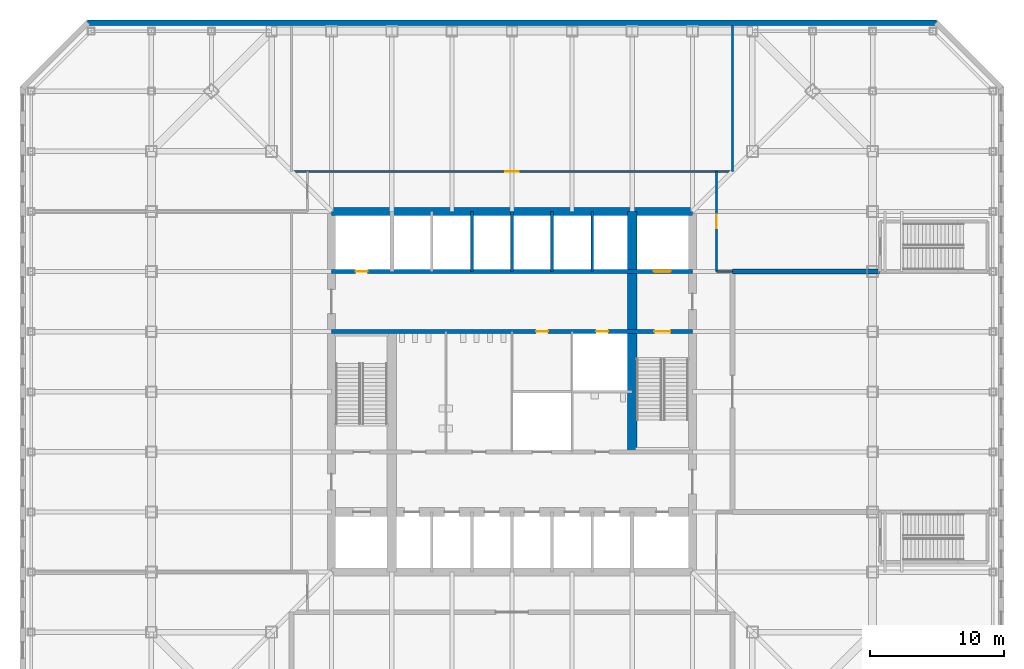
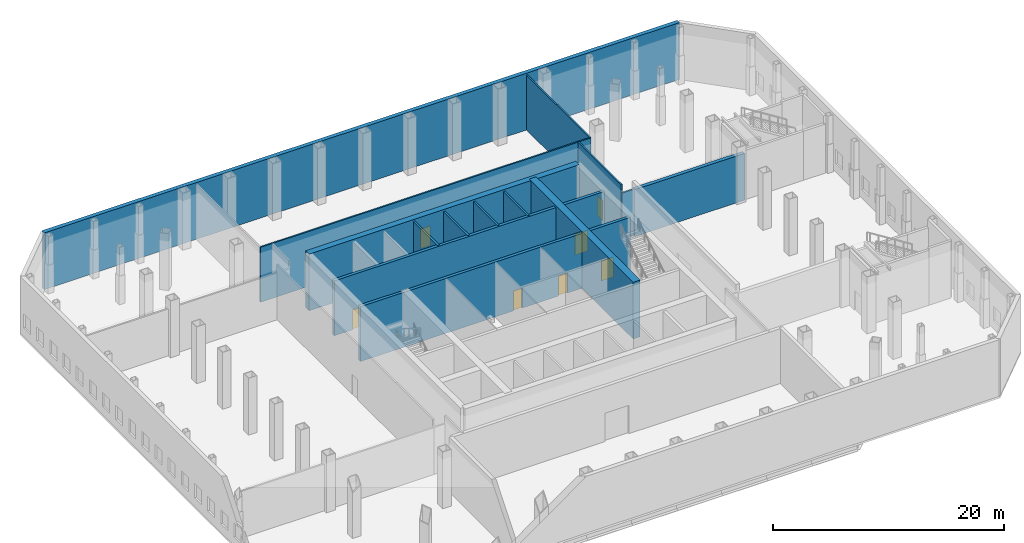
# One storey, part 8 of 13: 14 walls, 7 doors, 7 openings.
"""IFC4 building model written with IfcOpenShell, lengths in metres."""

from ifc_helpers import new_model, si_unit, direction, frame, frame_2d, origin, place, context, subcontext, project, spatial, rectangle, extrude, material, layer, layer_set, type_object, element, fill, save


model = new_model("IFC4")

# Units and contexts
model_context = context("Model", 3, precision=1e-05, world=origin(), true_north=direction((0.0, 1.0)))
body_context = subcontext(model_context, "Body", "Model", "MODEL_VIEW")
ifc_project = project(units=[si_unit("LENGTHUNIT", "METRE"), si_unit("AREAUNIT", "SQUARE_METRE"), si_unit("VOLUMEUNIT", "CUBIC_METRE"), si_unit("PLANEANGLEUNIT", "RADIAN"), si_unit("MASSUNIT", "GRAM", prefix="KILO")], contexts=[model_context])

# Site, building, storey
site_placement = place(None, origin())
site = spatial("IfcSite", under=ifc_project, at=site_placement, CompositionType="ELEMENT")
building_placement = place(site_placement, origin())
building = spatial("IfcBuilding", under=site, at=building_placement, Name="Corais Broadcast Tower", CompositionType="ELEMENT")
storey_placement = place(building_placement, frame((0.0, 0.0, 12.0)))
storey = spatial("IfcBuildingStorey", under=building, at=storey_placement, Name="L02", CompositionType="ELEMENT", Elevation=12.0)

# Wall, openings, doors
ifc_material_1 = material(Name="Concrete blockwork class A, grouted, two-hour", Category="masonry")
ifc_layer_1 = layer(ifc_material_1, 0.300048828125)
ifc_layer_set_1 = layer_set([ifc_layer_1], Name="Concrete blockwork class A, grouted, two-hour")
wall_type_1 = type_object("IfcWallType", Name="Core lobby wall 300", PredefinedType="SOLIDWALL", material=ifc_layer_set_1)
wall_1_placement = place(storey_placement, frame((13.5, 31.5, 0.0), z_axis=(0.0, 0.0, 1.0), x_axis=(1.0, 0.0, 0.0)))
wall_1 = element("IfcWall", 1, at=wall_1_placement, inside=storey, type_object=wall_type_1, Name="CL1 core lobby wall Y315 L02", PredefinedType="SOLIDWALL", context=body_context, shape_type="SweptSolid", body=[
    extrude(rectangle(XDim=27.0, YDim=0.300048828125, at=frame_2d((13.5, 0.0))), origin(), (0.0, 0.0, 1.0), 5.800048828125),
])
opening_1_placement = place(wall_1_placement, frame((24.14990234375, 0.0, 0.0)))
opening_1 = element("IfcOpeningElement", 2, at=opening_1_placement, cuts=wall_1, Name="Opening FD1", PredefinedType="OPENING", context=body_context, shape_type="SweptSolid", body=[
    extrude(rectangle(XDim=1.199951171875, YDim=2.10009765625, at=frame_2d((0.60009765625, 1.050048828125))), frame((0.0, 0.159912109375, 0.0), z_axis=(0.0, -1.0, 0.0), x_axis=(1.0, 0.0, 0.0)), (0.0, 0.0, 1.0), 0.320068359375),
])
opening_2_placement = place(wall_1_placement, frame((15.300048828125, 0.0, 0.0)))
opening_2 = element("IfcOpeningElement", 3, at=opening_2_placement, cuts=wall_1, Name="Opening RD1", PredefinedType="OPENING", context=body_context, shape_type="SweptSolid", body=[
    extrude(rectangle(XDim=0.89990234375, YDim=2.10009765625, at=frame_2d((0.449951171875, 1.050048828125))), frame((0.0, 0.159912109375, 0.0), z_axis=(0.0, -1.0, 0.0), x_axis=(1.0, 0.0, 0.0)), (0.0, 0.0, 1.0), 0.320068359375),
])
opening_3_placement = place(wall_1_placement, frame((19.800048828125, 0.0, 0.0)))
opening_3 = element("IfcOpeningElement", 4, at=opening_3_placement, cuts=wall_1, Name="Opening RD1", PredefinedType="OPENING", context=body_context, shape_type="SweptSolid", body=[
    extrude(rectangle(XDim=0.89990234375, YDim=2.10009765625, at=frame_2d((0.449951171875, 1.050048828125))), frame((0.0, 0.159912109375, 0.0), z_axis=(0.0, -1.0, 0.0), x_axis=(1.0, 0.0, 0.0)), (0.0, 0.0, 1.0), 0.320068359375),
])
ifc_material_2 = material(Name="Steel fire door", Category="steel")
door_type_1 = type_object("IfcDoorType", Name="Fire door 1200x2100", OperationType="SINGLE_SWING_LEFT", PredefinedType="DOOR", material=ifc_material_2)
door_1_placement = place(opening_1_placement, origin())
door_1 = element("IfcDoor", 5, at=door_1_placement, inside=storey, type_object=door_type_1, Name="FD1 stair B door L02", OperationType="SINGLE_SWING_RIGHT", OverallHeight=2.10009765625, OverallWidth=1.199951171875, PredefinedType="DOOR", context=body_context, shape_type="SweptSolid", body=[
    extrude(rectangle(XDim=1.199951171875, YDim=2.10009765625, at=frame_2d((0.60009765625, 1.050048828125))), frame((0.0, 0.02490234375, 0.0), z_axis=(0.0, -1.0, 0.0), x_axis=(1.0, 0.0, 0.0)), (0.0, 0.0, 1.0), 0.050048828125),
])
fill(opening_1, door_1)
ifc_material_3 = material(Name="Steel fire door", Category="steel")
door_type_2 = type_object("IfcDoorType", Name="Riser door 900x2100", OperationType="SINGLE_SWING_LEFT", PredefinedType="DOOR", material=ifc_material_3)
door_2_placement = place(opening_2_placement, origin())
door_2 = element("IfcDoor", 6, at=door_2_placement, inside=storey, type_object=door_type_2, Name="RD1 print room door L02", OperationType="SINGLE_SWING_RIGHT", OverallHeight=2.10009765625, OverallWidth=0.89990234375, PredefinedType="DOOR", context=body_context, shape_type="SweptSolid", body=[
    extrude(rectangle(XDim=0.89990234375, YDim=2.10009765625, at=frame_2d((0.449951171875, 1.050048828125))), frame((0.0, 0.02490234375, 0.0), z_axis=(0.0, -1.0, 0.0), x_axis=(1.0, 0.0, 0.0)), (0.0, 0.0, 1.0), 0.050048828125),
])
fill(opening_2, door_2)
door_3_placement = place(opening_3_placement, origin())
door_3 = element("IfcDoor", 7, at=door_3_placement, inside=storey, type_object=door_type_2, Name="RD1 riser door L02", OperationType="SINGLE_SWING_RIGHT", OverallHeight=2.10009765625, OverallWidth=0.89990234375, PredefinedType="DOOR", context=body_context, shape_type="SweptSolid", body=[
    extrude(rectangle(XDim=0.89990234375, YDim=2.10009765625, at=frame_2d((0.449951171875, 1.050048828125))), frame((0.0, 0.02490234375, 0.0), z_axis=(0.0, -1.0, 0.0), x_axis=(1.0, 0.0, 0.0)), (0.0, 0.0, 1.0), 0.050048828125),
])
fill(opening_3, door_3)

# Walls
ifc_material_4 = material(Name="Concrete C50/60", Category="concrete")
ifc_layer_2 = layer(ifc_material_4, 0.699951171875)
ifc_layer_set_2 = layer_set([ifc_layer_2], Name="Concrete C50/60")
wall_type_2 = type_object("IfcWallType", Name="Core spine wall 700", PredefinedType="SHEAR", material=ifc_layer_set_2)
wall_2_placement = place(storey_placement, frame((36.0, 22.5, 0.0), z_axis=(0.0, 0.0, 1.0), x_axis=(0.0, 1.0, 0.0)))
element("IfcWall", 8, at=wall_2_placement, inside=storey, type_object=wall_type_2, Name="CR700 core wall X36B L02", PredefinedType="SHEAR", context=body_context, shape_type="SweptSolid", body=[
    extrude(rectangle(XDim=18.0, YDim=0.699951171875, at=frame_2d((9.0, 0.0))), origin(), (0.0, 0.0, 1.0), 6.0),
])
ifc_material_5 = material(Name="Concrete C50/60", Category="concrete")
ifc_layer_3 = layer(ifc_material_5, 0.60009765625)
ifc_layer_set_3 = layer_set([ifc_layer_3], Name="Concrete C50/60")
wall_type_3 = type_object("IfcWallType", Name="Core wall 600", PredefinedType="SHEAR", material=ifc_layer_set_3)
wall_3_placement = place(storey_placement, frame((40.5, 40.5, 0.0), z_axis=(0.0, 0.0, 1.0), x_axis=(-1.0, 0.0, 0.0)))
element("IfcWall", 9, at=wall_3_placement, inside=storey, type_object=wall_type_3, Name="CR600 core wall N L02", PredefinedType="SHEAR", context=body_context, shape_type="SweptSolid", body=[
    extrude(rectangle(XDim=27.0, YDim=0.60009765625, at=frame_2d((13.5, 0.0))), origin(), (0.0, 0.0, 1.0), 6.0),
])
ifc_material_6 = material(Name="Two leaves of dense concrete blockwork class A with a 50 mm cavity", Category="masonry")
ifc_layer_4 = layer(ifc_material_6, 0.35009765625)
ifc_layer_set_4 = layer_set([ifc_layer_4], Name="Two leaves of dense concrete blockwork class A with a 50 mm cavity")
wall_type_4 = type_object("IfcWallType", Name="Double-leaf acoustic partition 350", PredefinedType="PARTITIONING", material=ifc_layer_set_4)
wall_4_placement = place(storey_placement, frame((54.5, 36.0, 0.0), z_axis=(0.0, 0.0, 1.0), x_axis=(-1.0, 0.0, 0.0)))
element("IfcWall", 10, at=wall_4_placement, inside=storey, type_object=wall_type_4, Name="IW4 partition L02", PredefinedType="PARTITIONING", context=body_context, shape_type="SweptSolid", body=[
    extrude(rectangle(XDim=11.0, YDim=0.35009765625, at=frame_2d((5.5, 0.0))), origin(), (0.0, 0.0, 1.0), 4.948974609375),
])

# Wall, openings, doors
ifc_material_7 = material(Name="Concrete blockwork class A, grouted, four-hour", Category="masonry")
ifc_layer_5 = layer(ifc_material_7, 0.300048828125)
ifc_layer_set_5 = layer_set([ifc_layer_5], Name="Concrete blockwork class A, grouted, four-hour")
wall_type_5 = type_object("IfcWallType", Name="Emergency lift shaft wall 300", PredefinedType="SOLIDWALL", material=ifc_layer_set_5)
wall_5_placement = place(storey_placement, frame((13.5, 36.0, 0.0), z_axis=(0.0, 0.0, 1.0), x_axis=(1.0, 0.0, 0.0)))
wall_5 = element("IfcWall", 11, at=wall_5_placement, inside=storey, type_object=wall_type_5, Name="LS1 core lobby wall Y36 L02", PredefinedType="SOLIDWALL", context=body_context, shape_type="SweptSolid", body=[
    extrude(rectangle(XDim=27.0, YDim=0.300048828125, at=frame_2d((13.5, 0.0))), origin(), (0.0, 0.0, 1.0), 5.800048828125),
])
opening_4_placement = place(wall_5_placement, frame((1.800048828125, 0.0, 0.0)))
opening_4 = element("IfcOpeningElement", 12, at=opening_4_placement, cuts=wall_5, Name="Opening RD1", PredefinedType="OPENING", context=body_context, shape_type="SweptSolid", body=[
    extrude(rectangle(XDim=0.89990234375, YDim=2.10009765625, at=frame_2d((0.449951171875, 1.050048828125))), frame((0.0, 0.159912109375, 0.0), z_axis=(0.0, -1.0, 0.0), x_axis=(1.0, 0.0, 0.0)), (0.0, 0.0, 1.0), 0.320068359375),
])
opening_5_placement = place(wall_5_placement, frame((24.10009765625, 0.0, 0.0)))
opening_5 = element("IfcOpeningElement", 13, at=opening_5_placement, cuts=wall_5, Name="Opening LD2", PredefinedType="OPENING", context=body_context, shape_type="SweptSolid", body=[
    extrude(rectangle(XDim=1.300048828125, YDim=2.199951171875, at=frame_2d((0.64990234375, 1.10009765625))), frame((0.0, 0.159912109375, 0.0), z_axis=(0.0, -1.0, 0.0), x_axis=(1.0, 0.0, 0.0)), (0.0, 0.0, 1.0), 0.320068359375),
])
ifc_material_8 = material(Name="Stainless steel lift door", Category="steel")
door_type_3 = type_object("IfcDoorType", Name="Lift landing door 1300x2200", OperationType="SLIDING_TO_LEFT", PredefinedType="DOOR", material=ifc_material_8)
door_4_placement = place(opening_5_placement, origin())
door_4 = element("IfcDoor", 14, at=door_4_placement, inside=storey, type_object=door_type_3, Name="LD2 FL2 landing door L02", OperationType="SLIDING_TO_LEFT", OverallHeight=2.199951171875, OverallWidth=1.300048828125, PredefinedType="DOOR", context=body_context, shape_type="SweptSolid", body=[
    extrude(rectangle(XDim=1.300048828125, YDim=2.199951171875, at=frame_2d((0.64990234375, 1.10009765625))), frame((0.0, 0.02490234375, 0.0), z_axis=(0.0, -1.0, 0.0), x_axis=(1.0, 0.0, 0.0)), (0.0, 0.0, 1.0), 0.050048828125),
])
fill(opening_5, door_4)
door_5_placement = place(opening_4_placement, origin())
door_5 = element("IfcDoor", 15, at=door_5_placement, inside=storey, type_object=door_type_2, Name="RD1 riser door L02", OperationType="SINGLE_SWING_LEFT", OverallHeight=2.10009765625, OverallWidth=0.89990234375, PredefinedType="DOOR", context=body_context, shape_type="SweptSolid", body=[
    extrude(rectangle(XDim=0.89990234375, YDim=2.10009765625, at=frame_2d((0.449951171875, 1.050048828125))), frame((0.0, 0.02490234375, 0.0), z_axis=(0.0, -1.0, 0.0), x_axis=(1.0, 0.0, 0.0)), (0.0, 0.0, 1.0), 0.050048828125),
])
fill(opening_4, door_5)

# Wall, opening, door
ifc_material_9 = material(Name="Gypsum board on steel studs", Category="steel")
ifc_layer_6 = layer(ifc_material_9, 0.14990234375)
ifc_layer_set_6 = layer_set([ifc_layer_6], Name="Gypsum board on steel studs")
wall_type_6 = type_object("IfcWallType", Name="Partition 150", PredefinedType="PARTITIONING", material=ifc_layer_set_6)
wall_6_placement = place(storey_placement, frame((42.300048828125, 36.0, 0.0), z_axis=(0.0, 0.0, 1.0), x_axis=(0.0, 1.0, 0.0)))
wall_6 = element("IfcWall", 16, at=wall_6_placement, inside=storey, type_object=wall_type_6, Name="IW3 corridor wall L02", PredefinedType="PARTITIONING", context=body_context, shape_type="SweptSolid", body=[
    extrude(rectangle(XDim=7.5, YDim=0.14990234375, at=frame_2d((3.75, 0.0))), origin(), (0.0, 0.0, 1.0), 5.800048828125),
])
opening_6_placement = place(wall_6_placement, frame((3.25, 0.0, 0.0)))
opening_6 = element("IfcOpeningElement", 17, at=opening_6_placement, cuts=wall_6, Name="Opening D1", PredefinedType="OPENING", context=body_context, shape_type="SweptSolid", body=[
    extrude(rectangle(XDim=1.0, YDim=2.10009765625, at=frame_2d((0.5, 1.050048828125))), frame((0.0, 0.0849609375, 0.0), z_axis=(0.0, -1.0, 0.0), x_axis=(1.0, 0.0, 0.0)), (0.0, 0.0, 1.0), 0.169921875),
])
ifc_material_10 = material(Name="Timber door", Category="wood")
door_type_4 = type_object("IfcDoorType", Name="Single door 1000x2100", OperationType="SINGLE_SWING_LEFT", PredefinedType="DOOR", material=ifc_material_10)
door_6_placement = place(opening_6_placement, origin())
door_6 = element("IfcDoor", 18, at=door_6_placement, inside=storey, type_object=door_type_4, Name="D1 workplace door L02", OperationType="SINGLE_SWING_LEFT", OverallHeight=2.10009765625, OverallWidth=1.0, PredefinedType="DOOR", context=body_context, shape_type="SweptSolid", body=[
    extrude(rectangle(XDim=1.0, YDim=2.10009765625, at=frame_2d((0.5, 1.050048828125))), frame((0.0, 0.02490234375, 0.0), z_axis=(0.0, -1.0, 0.0), x_axis=(1.0, 0.0, 0.0)), (0.0, 0.0, 1.0), 0.050048828125),
])
fill(opening_6, door_6)

# Wall
wall_7_placement = place(storey_placement, frame((43.510009765625, 36.0, 0.0), z_axis=(0.0, 0.0, 1.0), x_axis=(-1.0, 0.0, 0.0)))
element("IfcWall", 19, at=wall_7_placement, inside=storey, type_object=wall_type_6, Name="IW3 corridor wall L02", PredefinedType="PARTITIONING", context=body_context, shape_type="SweptSolid", body=[
    extrude(rectangle(XDim=1.2099609375, YDim=0.14990234375, at=frame_2d((0.60498046875, 0.0))), origin(), (0.0, 0.0, 1.0), 4.948974609375),
])

# Wall, opening, door
wall_8_placement = place(storey_placement, frame((10.5, 43.5, 0.0), z_axis=(0.0, 0.0, 1.0), x_axis=(1.0, 0.0, 0.0)))
wall_8 = element("IfcWall", 20, at=wall_8_placement, inside=storey, type_object=wall_type_6, Name="IW3 partition L02", PredefinedType="PARTITIONING", context=body_context, shape_type="SweptSolid", body=[
    extrude(rectangle(XDim=33.0, YDim=0.14990234375, at=frame_2d((16.5, 0.0))), origin(), (0.0, 0.0, 1.0), 5.800048828125),
])
opening_7_placement = place(wall_8_placement, frame((16.0, 0.0, 0.0)))
opening_7 = element("IfcOpeningElement", 21, at=opening_7_placement, cuts=wall_8, Name="Opening D1", PredefinedType="OPENING", context=body_context, shape_type="SweptSolid", body=[
    extrude(rectangle(XDim=1.0, YDim=2.10009765625, at=frame_2d((0.5, 1.050048828125))), frame((0.0, 0.0849609375, 0.0), z_axis=(0.0, -1.0, 0.0), x_axis=(1.0, 0.0, 0.0)), (0.0, 0.0, 1.0), 0.169921875),
])
door_7_placement = place(opening_7_placement, origin())
door_7 = element("IfcDoor", 22, at=door_7_placement, inside=storey, type_object=door_type_4, Name="D1 Edit and graphics suite door", OperationType="SINGLE_SWING_LEFT", OverallHeight=2.10009765625, OverallWidth=1.0, PredefinedType="DOOR", context=body_context, shape_type="SweptSolid", body=[
    extrude(rectangle(XDim=1.0, YDim=2.10009765625, at=frame_2d((0.5, 1.050048828125))), frame((0.0, 0.02490234375, 0.0), z_axis=(0.0, -1.0, 0.0), x_axis=(1.0, 0.0, 0.0)), (0.0, 0.0, 1.0), 0.050048828125),
])
fill(opening_7, door_7)

# Walls
wall_9_placement = place(storey_placement, frame((43.5, 43.5, 0.0), z_axis=(0.0, 0.0, 1.0), x_axis=(0.0, 1.0, 0.0)))
element("IfcWall", 23, at=wall_9_placement, inside=storey, type_object=wall_type_6, Name="IW3 partition L02", PredefinedType="PARTITIONING", context=body_context, shape_type="SweptSolid", body=[
    extrude(rectangle(XDim=10.929931640625, YDim=0.14990234375, at=frame_2d((5.46484375, 0.0))), origin(), (0.0, 0.0, 1.0), 5.800048828125),
])
ifc_material_11 = material(Name="Concrete blockwork class A, grouted, two-hour", Category="masonry")
ifc_layer_7 = layer(ifc_material_11, 0.199951171875)
ifc_layer_set_7 = layer_set([ifc_layer_7], Name="Concrete blockwork class A, grouted, two-hour")
wall_type_7 = type_object("IfcWallType", Name="Shaft wall 200", PredefinedType="PARTITIONING", material=ifc_layer_set_7)
for number, where, z_axis, x_axis, name in (
    (24, (24.0, 36.0, 0.0), (0.0, 0.0, 1.0), (0.0, 1.0, 0.0), "IW1 shaft wall L02"),
    (25, (27.0, 36.0, 0.0), (0.0, 0.0, 1.0), (0.0, 1.0, 0.0), "IW1 shaft wall L02"),
    (26, (30.0, 36.0, 0.0), (0.0, 0.0, 1.0), (0.0, 1.0, 0.0), "IW1 shaft wall L02"),
    (27, (33.0, 36.0, 0.0), (0.0, 0.0, 1.0), (0.0, 1.0, 0.0), "IW1 shaft wall L02"),
):
    element("IfcWall", number, at=place(storey_placement, frame(where, z_axis=z_axis, x_axis=x_axis)), inside=storey, type_object=wall_type_7, Name=name, PredefinedType="PARTITIONING", context=body_context, shape_type="SweptSolid", body=[
        extrude(rectangle(XDim=4.5, YDim=0.199951171875, at=frame_2d((2.25, 0.0))), origin(), (0.0, 0.0, 1.0), 5.800048828125),
    ])
ifc_material_12 = material(Name="Precast concrete C40/50", Category="concrete")
ifc_layer_8 = layer(ifc_material_12, 0.39990234375)
ifc_layer_set_8 = layer_set([ifc_layer_8], Name="Precast concrete C40/50")
wall_type_8 = type_object("IfcWallType", Name="Stone-faced acoustic wall 400", PredefinedType="SOLIDWALL", material=ifc_layer_set_8)
wall_10_placement = place(storey_placement, frame((-4.760986328125, 54.6298828125, 0.0), z_axis=(0.0, 0.0, 1.0), x_axis=(1.0, 0.0, 0.0)))
element("IfcWall", 28, at=wall_10_placement, inside=storey, type_object=wall_type_8, Name="EW2 external wall L02 4", PredefinedType="SOLIDWALL", context=body_context, shape_type="SweptSolid", body=[
    extrude(rectangle(XDim=63.52197265625, YDim=0.39990234375, at=frame_2d((31.760986328125, 0.0))), origin(), (0.0, 0.0, 1.0), 6.0),
])

save(model, "model.ifc")
